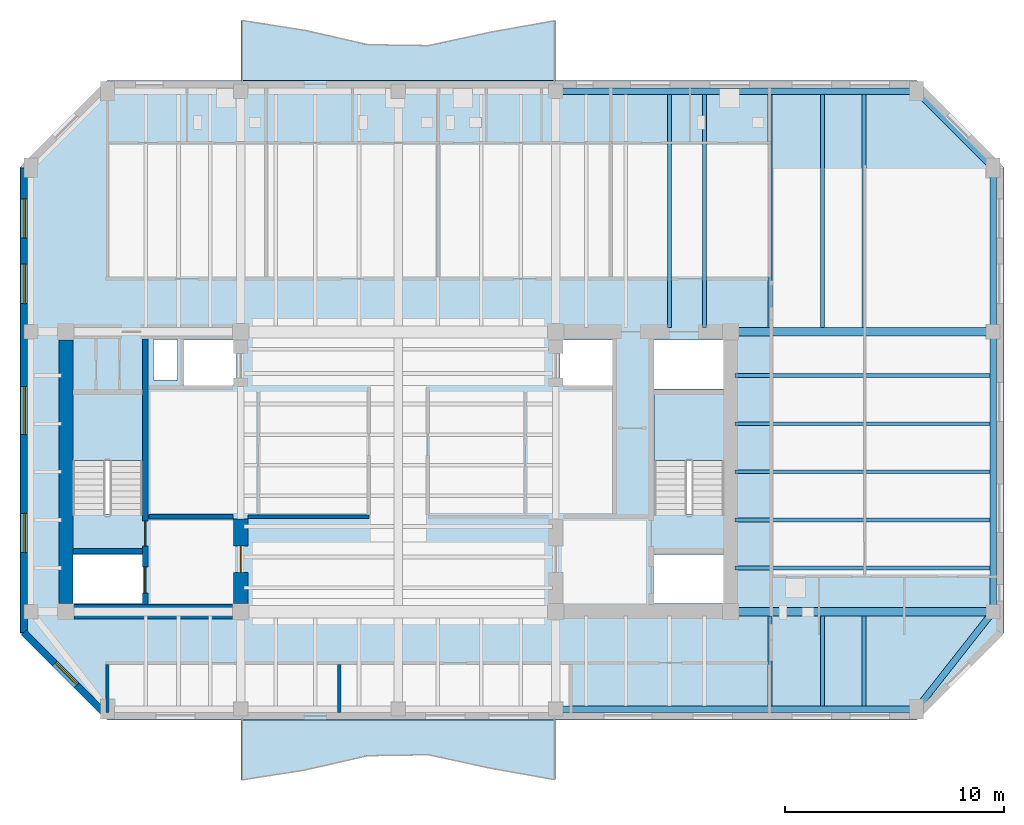
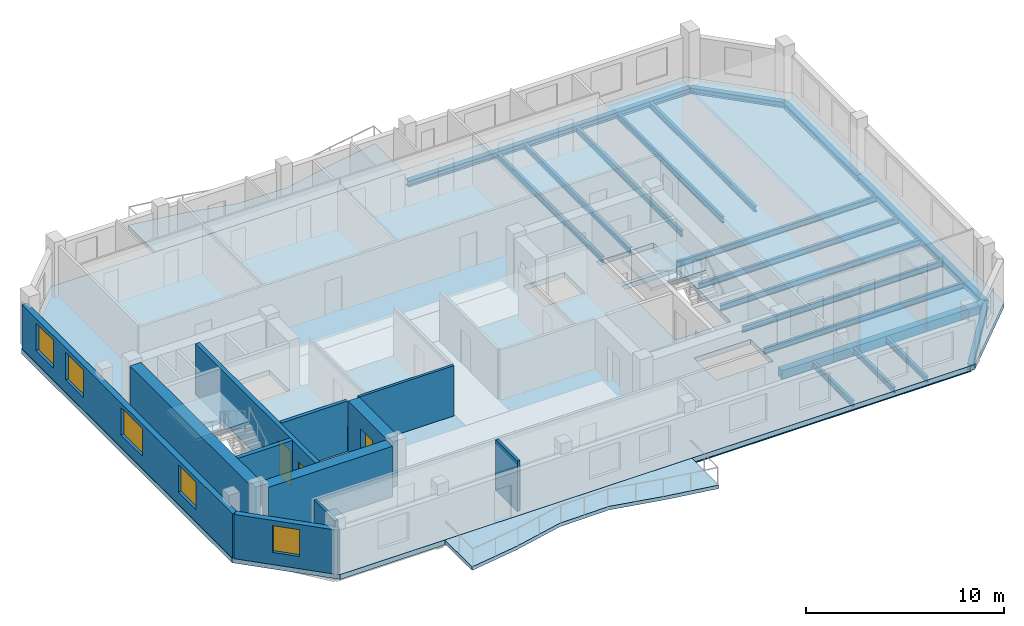
# One storey, part 2 of 9: 21 beams, 11 walls, 5 slabs, 5 windows, 3 doors, 8 openings, 2 elements without a shape of their own.
"""IFC4 building model written with IfcOpenShell, lengths in metres."""

import ifcopenshell
import ifcopenshell.guid

model = None  # the IFC model being written
_history = None  # IfcOwnerHistory: only IFC2X3 demands one
_inside = {}  # id of a spatial element -> (the spatial element, [elements in it])
_under = {}  # id of a project, library or spatial element -> (it, [spatial elements below it])
_declared = {}  # id of a project -> (the project, [libraries it declares])
_typed = {}  # id of a type object -> (the type object, [elements of that type])
_made_of = {}  # id of a material, layer set ... -> (it, [elements and type objects made of it])


def new_model(schema):
    """Start an empty IFC model of exactly this schema.

    Asked for "IFC4X3", IfcOpenShell would pick the latest addendum, in which some entities
    have other attributes; the version numbers below select the first issue.
    IFC2X3 requires an IfcOwnerHistory on every rooted entity: one is made here for all.
    """
    global model, _history
    if schema == "IFC4X3":
        model = ifcopenshell.file(schema_version=(4, 3, 0, 0))
    else:
        model = ifcopenshell.file(schema=schema)
    _inside.clear()
    _under.clear()
    _declared.clear()
    _typed.clear()
    _made_of.clear()
    _history = None
    if model.schema == "IFC2X3":
        org = make("IfcOrganization", Name="unknown")
        user = make(
            "IfcPersonAndOrganization",
            ThePerson=make("IfcPerson", FamilyName="unknown"),
            TheOrganization=org,
        )
        app = make(
            "IfcApplication",
            ApplicationDeveloper=org,
            Version="unknown",
            ApplicationFullName="unknown",
            ApplicationIdentifier="unknown",
        )
        _history = make(
            "IfcOwnerHistory",
            OwningUser=user,
            OwningApplication=app,
            ChangeAction="ADDED",
            CreationDate=0,
        )
    return model


def make(cls, **values):
    """One entity of the class cls with the attributes given. An attribute that is None is left unset."""
    return model.create_entity(
        cls, **{name: value for name, value in values.items() if value is not None}
    )


def rooted(cls, **values):
    """An entity with a GlobalId (a new one), such as an element, a storey or a relation."""
    return make(cls, GlobalId=ifcopenshell.guid.new(), OwnerHistory=_history, **values)


def si_unit(unit_type, name, prefix=None):
    """IfcSIUnit, for example si_unit("LENGTHUNIT", "METRE", prefix="MILLI")."""
    return make("IfcSIUnit", UnitType=unit_type, Prefix=prefix, Name=name)


def assignment(units):
    """IfcUnitAssignment: the units of a project."""
    return None if units is None else make("IfcUnitAssignment", Units=units)


def point(xyz):
    """IfcCartesianPoint."""
    return None if xyz is None else make("IfcCartesianPoint", Coordinates=xyz)


def direction(xyz):
    """IfcDirection."""
    return None if xyz is None else make("IfcDirection", DirectionRatios=xyz)


def frame(location, z_axis=None, x_axis=None):
    """IfcAxis2Placement3D, a coordinate frame: its origin and axes. An axis left out is left unset."""
    return make(
        "IfcAxis2Placement3D",
        Location=point(location),
        Axis=direction(z_axis),
        RefDirection=direction(x_axis),
    )


def frame_2d(location, x_axis=None):
    """IfcAxis2Placement2D, a coordinate frame in the plane: its origin and x axis."""
    return make(
        "IfcAxis2Placement2D", Location=point(location), RefDirection=direction(x_axis)
    )


def origin():
    """The frame at (0, 0, 0) with its axes left unset."""
    return frame((0.0, 0.0, 0.0))


def origin_2d():
    """The frame at (0, 0) in the plane with its x axis left unset."""
    return frame_2d((0.0, 0.0))


def place(relative_to, where):
    """IfcLocalPlacement: puts the frame where relative to a parent placement (None: the world)."""
    return make(
        "IfcLocalPlacement", PlacementRelTo=relative_to, RelativePlacement=where
    )


def context(
    kind, dimensions, precision=None, world=None, true_north=None, identifier=None
):
    """IfcGeometricRepresentationContext, for example the 3D "Model" context."""
    return make(
        "IfcGeometricRepresentationContext",
        ContextIdentifier=identifier,
        ContextType=kind,
        CoordinateSpaceDimension=dimensions,
        Precision=precision,
        WorldCoordinateSystem=world,
        TrueNorth=true_north,
    )


def subcontext(parent, identifier, kind, view, scale=None):
    """IfcGeometricRepresentationSubContext, for example "Body" below "Model"."""
    return make(
        "IfcGeometricRepresentationSubContext",
        ContextIdentifier=identifier,
        ContextType=kind,
        ParentContext=parent,
        TargetScale=scale,
        TargetView=view,
    )


def project(units=None, contexts=None):
    """IfcProject with its units and contexts."""
    return rooted(
        "IfcProject",
        Name="project",
        RepresentationContexts=contexts,
        UnitsInContext=assignment(units),
    )


def spatial(cls, under=None, at=None, **own):
    """A site, building, storey or space (cls), placed at a placement, below another one or the project."""
    s = rooted(cls, ObjectPlacement=at, **own)
    if under is not None:
        _under.setdefault(under.id(), (under, []))[1].append(s)
    return s


def polyline(points):
    """IfcPolyline through the points."""
    return make("IfcPolyline", Points=[point(p) for p in points])


def profile(cls, at=None, kind="AREA", **sizes):
    """A parametric profile (cls). Its sizes go by their IFC names, for example OverallWidth=200.0."""
    return make(cls, ProfileType=kind, Position=at, **sizes)


def rectangle(**sizes):
    """IfcRectangleProfileDef."""
    return profile("IfcRectangleProfileDef", **sizes)


def i_section(**sizes):
    """IfcIShapeProfileDef."""
    return profile("IfcIShapeProfileDef", **sizes)


def outline(outer, holes=None, kind="AREA"):
    """IfcArbitraryClosedProfileDef: a profile drawn as a closed curve; with holes, ...WithVoids."""
    if holes is None:
        return make("IfcArbitraryClosedProfileDef", ProfileType=kind, OuterCurve=outer)
    return make(
        "IfcArbitraryProfileDefWithVoids",
        ProfileType=kind,
        OuterCurve=outer,
        InnerCurves=holes,
    )


def extrude(swept, where, along, depth):
    """IfcExtrudedAreaSolid: the profile swept, set in the frame where, extruded along a direction by depth."""
    return make(
        "IfcExtrudedAreaSolid",
        SweptArea=swept,
        Position=where,
        ExtrudedDirection=direction(along),
        Depth=depth,
    )


def shape(context_of_items, identifier, shape_type, items):
    """IfcShapeRepresentation: the items that make up one representation, for example the "Body"."""
    return make(
        "IfcShapeRepresentation",
        ContextOfItems=context_of_items,
        RepresentationIdentifier=identifier,
        RepresentationType=shape_type,
        Items=items,
    )


def material(Name=None, Category=None):
    """IfcMaterial."""
    return make("IfcMaterial", Name=Name, Category=Category)


def layer(
    of_material, thickness, ventilated=None, Name=None, Category=None, Priority=None
):
    """IfcMaterialLayer: one layer of a wall or slab, of a material (None: an air gap)."""
    return make(
        "IfcMaterialLayer",
        Material=of_material,
        LayerThickness=thickness,
        IsVentilated=ventilated,
        Name=Name,
        Category=Category,
        Priority=Priority,
    )


def layer_set(layers, Name=None):
    """IfcMaterialLayerSet."""
    return make("IfcMaterialLayerSet", MaterialLayers=layers, LayerSetName=Name)


def material_profile(
    of_material, cross_section, Name=None, Category=None, Priority=None
):
    """IfcMaterialProfile: a cross section and its material."""
    return make(
        "IfcMaterialProfile",
        Name=Name,
        Material=of_material,
        Profile=cross_section,
        Priority=Priority,
        Category=Category,
    )


def profile_set(profiles, Name=None, composite=None):
    """IfcMaterialProfileSet."""
    return make(
        "IfcMaterialProfileSet",
        Name=Name,
        MaterialProfiles=profiles,
        CompositeProfile=composite,
    )


def made_of(thing, what):
    """Note that an element or type object is made of a material, layer set ...; save() writes the relation."""
    if what is not None:
        _made_of.setdefault(what.id(), (what, []))[1].append(thing)
    return thing


def type_object(cls, material=None, **own):
    """A type object (cls), such as IfcWallType, which elements share."""
    return made_of(rooted(cls, **own), material)


def element(
    cls,
    number,
    at=None,
    inside=None,
    cuts=None,
    type_object=None,
    material=None,
    context=None,
    identifier="Body",
    shape_type=None,
    held_by="IfcProductDefinitionShape",
    body=None,
    shapes=None,
    **own,
):
    """One element of the class cls, such as IfcWall. Its Tag is "e" and its number.

    at: its placement. inside: the storey or other place that contains it. cuts: it is an
    opening in that element (IfcRelVoidsElement). A single representation is given by context,
    identifier, shape_type and body (its items); several are given by shapes. held_by: the class
    of the entity that holds the representations. save() writes the other relations.
    """
    e = rooted(cls, Tag="e%d" % number, ObjectPlacement=at, **own)
    if body is not None:
        shapes = [shape(context, identifier, shape_type, body)]
    if shapes is not None:
        e.Representation = make(held_by, Representations=shapes)
    if inside is not None:
        _inside.setdefault(inside.id(), (inside, []))[1].append(e)
    if cuts is not None:
        rooted(
            "IfcRelVoidsElement", RelatingBuildingElement=cuts, RelatedOpeningElement=e
        )
    if type_object is not None:
        _typed.setdefault(type_object.id(), (type_object, []))[1].append(e)
    return made_of(e, material)


def fill(opening, filler):
    """IfcRelFillsElement: the door or window that sits in an opening."""
    return rooted(
        "IfcRelFillsElement",
        RelatingOpeningElement=opening,
        RelatedBuildingElement=filler,
    )


def aggregate(whole, parts):
    """IfcRelAggregates: a whole, such as a stair, and the parts it consists of."""
    return rooted("IfcRelAggregates", RelatingObject=whole, RelatedObjects=parts)


def save(model, path):
    """Write the relations noted so far, then the file.

    IfcRelAggregates (storeys below a building ...), IfcRelContainedInSpatialStructure (elements
    in a storey), IfcRelDefinesByType, IfcRelAssociatesMaterial and IfcRelDeclares: one each for
    every whole, place, type object, material and project.
    """
    for whole, parts in _under.values():
        aggregate(whole, parts)
    for where, things in _inside.values():
        rooted(
            "IfcRelContainedInSpatialStructure",
            RelatedElements=things,
            RelatingStructure=where,
        )
    for kind, things in _typed.values():
        rooted("IfcRelDefinesByType", RelatedObjects=things, RelatingType=kind)
    for what, things in _made_of.values():
        rooted("IfcRelAssociatesMaterial", RelatedObjects=things, RelatingMaterial=what)
    for by, libraries in _declared.values():
        rooted("IfcRelDeclares", RelatingContext=by, RelatedDefinitions=libraries)
    model.write(path)


model = new_model("IFC4")

# Units and contexts
model_context = context("Model", 3, precision=1e-05, world=origin(), true_north=direction((0.0, 1.0)))
body_context = subcontext(model_context, "Body", "Model", "MODEL_VIEW")
ifc_project = project(units=[si_unit("LENGTHUNIT", "METRE"), si_unit("AREAUNIT", "SQUARE_METRE"), si_unit("VOLUMEUNIT", "CUBIC_METRE"), si_unit("PLANEANGLEUNIT", "RADIAN"), si_unit("MASSUNIT", "GRAM", prefix="KILO")], contexts=[model_context])

# Site, building, storey
site_placement = place(None, origin())
site = spatial("IfcSite", under=ifc_project, at=site_placement, CompositionType="ELEMENT")
building_placement = place(site_placement, origin())
building = spatial("IfcBuilding", under=site, at=building_placement, Name="Kranthara Brick Stack", CompositionType="ELEMENT")
storey_placement = place(building_placement, frame((0.0, 0.0, 258.5)))
storey = spatial("IfcBuildingStorey", under=building, at=storey_placement, Name="L68", CompositionType="ELEMENT", Elevation=258.5)

# Beams
ifc_material_1 = material(Name="Post-tensioned concrete C45/55", Category="concrete")
ifc_material_profile_1 = material_profile(ifc_material_1, rectangle(XDim=0.39990234375, YDim=0.550048828125, at=origin_2d()), Name="PT 400x550")
ifc_profile_set_1 = profile_set([ifc_material_profile_1], Name="Post-tensioned concrete C45/55")
beam_type_1 = type_object("IfcBeamType", Name="BM-FLR-PT550", PredefinedType="BEAM", material=ifc_profile_set_1)
for number, where, z_axis, x_axis, name in (
    (1, (43.199951171875, 20.800048828125, -0.574951171875), (1.0, 0.0, 0.0), (0.0, 1.0, 0.0), "L68 Primary Grid Girder 029"),
    (2, (43.199951171875, 33.60009765625, -0.574951171875), (1.0, 0.0, 0.0), (0.0, 1.0, 0.0), "L68 Primary Grid Girder 031"),
):
    element("IfcBeam", number, at=place(storey_placement, frame(where, z_axis=z_axis, x_axis=x_axis)), inside=storey, type_object=beam_type_1, Name=name, PredefinedType="BEAM", context=body_context, shape_type="SweptSolid", body=[
        extrude(rectangle(XDim=0.39990234375, YDim=0.550048828125, at=origin_2d()), origin(), (0.0, 0.0, 1.0), 12.0),
    ])
ifc_material_2 = material(Name="Steel S355", Category="steel")
ifc_material_profile_2 = material_profile(ifc_material_2, i_section(OverallWidth=0.169921875, OverallDepth=0.360107421875, WebThickness=0.008056640625, FlangeThickness=0.0126953125, at=origin_2d()), Name="IPE 360")
ifc_profile_set_2 = profile_set([ifc_material_profile_2], Name="Steel S355")
beam_type_2 = type_object("IfcBeamType", Name="BM-JST-IPE360", PredefinedType="JOIST", material=ifc_profile_set_2)
for number, where, z_axis, x_axis, name in (
    (3, (40.39990234375, 33.800048828125, -0.47998046875), (0.0, 1.0, 0.0), (-1.0, 0.0, 0.0), "L68 North Wing Floor Joist 073"),
    (4, (42.0, 33.800048828125, -0.47998046875), (0.0, 1.0, 0.0), (-1.0, 0.0, 0.0), "L68 North Wing Floor Joist 075"),
):
    element("IfcBeam", number, at=place(storey_placement, frame(where, z_axis=z_axis, x_axis=x_axis)), inside=storey, type_object=beam_type_2, Name=name, PredefinedType="JOIST", context=body_context, shape_type="SweptSolid", body=[
        extrude(i_section(OverallWidth=0.169921875, OverallDepth=0.360107421875, WebThickness=0.008056640625, FlangeThickness=0.0126953125, at=origin_2d()), origin(), (0.0, 0.0, 1.0), 10.64990234375),
    ])
beam_1_placement = place(storey_placement, frame((45.0, 16.5, -0.47998046875), z_axis=(0.0, 1.0, 0.0), x_axis=(-1.0, 0.0, 0.0)))
element("IfcBeam", 5, at=beam_1_placement, inside=storey, type_object=beam_type_2, Name="L68 South Wing Floor Joist 076", PredefinedType="JOIST", context=body_context, shape_type="SweptSolid", body=[
    extrude(i_section(OverallWidth=0.169921875, OverallDepth=0.360107421875, WebThickness=0.008056640625, FlangeThickness=0.0126953125, at=origin_2d()), origin(), (0.0, 0.0, 1.0), 4.10009765625),
])
beam_2_placement = place(storey_placement, frame((45.0, 33.800048828125, -0.47998046875), z_axis=(0.0, 1.0, 0.0), x_axis=(-1.0, 0.0, 0.0)))
element("IfcBeam", 6, at=beam_2_placement, inside=storey, type_object=beam_type_2, Name="L68 North Wing Floor Joist 077", PredefinedType="JOIST", context=body_context, shape_type="SweptSolid", body=[
    extrude(i_section(OverallWidth=0.169921875, OverallDepth=0.360107421875, WebThickness=0.008056640625, FlangeThickness=0.0126953125, at=origin_2d()), origin(), (0.0, 0.0, 1.0), 10.64990234375),
])
beam_3_placement = place(storey_placement, frame((47.39990234375, 16.5, -0.47998046875), z_axis=(0.0, 1.0, 0.0), x_axis=(-1.0, 0.0, 0.0)))
element("IfcBeam", 7, at=beam_3_placement, inside=storey, type_object=beam_type_2, Name="L68 South Wing Floor Joist 078", PredefinedType="JOIST", context=body_context, shape_type="SweptSolid", body=[
    extrude(i_section(OverallWidth=0.169921875, OverallDepth=0.360107421875, WebThickness=0.008056640625, FlangeThickness=0.0126953125, at=origin_2d()), origin(), (0.0, 0.0, 1.0), 4.10009765625),
])
beam_4_placement = place(storey_placement, frame((47.39990234375, 33.800048828125, -0.47998046875), z_axis=(0.0, 1.0, 0.0), x_axis=(-1.0, 0.0, 0.0)))
element("IfcBeam", 8, at=beam_4_placement, inside=storey, type_object=beam_type_2, Name="L68 North Wing Floor Joist 079", PredefinedType="JOIST", context=body_context, shape_type="SweptSolid", body=[
    extrude(i_section(OverallWidth=0.169921875, OverallDepth=0.360107421875, WebThickness=0.008056640625, FlangeThickness=0.0126953125, at=origin_2d()), origin(), (0.0, 0.0, 1.0), 10.64990234375),
])
beam_5_placement = place(storey_placement, frame((49.300048828125, 16.5, -0.47998046875), z_axis=(0.0, 1.0, 0.0), x_axis=(-1.0, 0.0, 0.0)))
element("IfcBeam", 9, at=beam_5_placement, inside=storey, type_object=beam_type_2, Name="L68 South Wing Floor Joist 080", PredefinedType="JOIST", context=body_context, shape_type="SweptSolid", body=[
    extrude(i_section(OverallWidth=0.169921875, OverallDepth=0.360107421875, WebThickness=0.008056640625, FlangeThickness=0.0126953125, at=origin_2d()), origin(), (0.0, 0.0, 1.0), 4.10009765625),
])
beam_6_placement = place(storey_placement, frame((49.300048828125, 33.800048828125, -0.47998046875), z_axis=(0.0, 1.0, 0.0), x_axis=(-1.0, 0.0, 0.0)))
element("IfcBeam", 10, at=beam_6_placement, inside=storey, type_object=beam_type_2, Name="L68 North Wing Floor Joist 081", PredefinedType="JOIST", context=body_context, shape_type="SweptSolid", body=[
    extrude(i_section(OverallWidth=0.169921875, OverallDepth=0.360107421875, WebThickness=0.008056640625, FlangeThickness=0.0126953125, at=origin_2d()), origin(), (0.0, 0.0, 1.0), 10.64990234375),
])
for number, where, z_axis, x_axis, name in (
    (11, (43.39990234375, 22.800048828125, -0.47998046875), (1.0, 0.0, 0.0), (0.0, 1.0, 0.0), "L68 East Wing Floor Joist 083"),
    (12, (43.39990234375, 25.0, -0.47998046875), (1.0, 0.0, 0.0), (0.0, 1.0, 0.0), "L68 East Wing Floor Joist 085"),
    (13, (43.39990234375, 27.199951171875, -0.47998046875), (1.0, 0.0, 0.0), (0.0, 1.0, 0.0), "L68 East Wing Floor Joist 087"),
    (14, (43.39990234375, 29.39990234375, -0.47998046875), (1.0, 0.0, 0.0), (0.0, 1.0, 0.0), "L68 East Wing Floor Joist 089"),
    (15, (43.39990234375, 31.60009765625, -0.47998046875), (1.0, 0.0, 0.0), (0.0, 1.0, 0.0), "L68 East Wing Floor Joist 091"),
):
    element("IfcBeam", number, at=place(storey_placement, frame(where, z_axis=z_axis, x_axis=x_axis)), inside=storey, type_object=beam_type_2, Name=name, PredefinedType="JOIST", context=body_context, shape_type="SweptSolid", body=[
        extrude(i_section(OverallWidth=0.169921875, OverallDepth=0.360107421875, WebThickness=0.008056640625, FlangeThickness=0.0126953125, at=origin_2d()), origin(), (0.0, 0.0, 1.0), 11.650146484375),
    ])
ifc_material_3 = material(Name="Steel S355", Category="steel")
ifc_material_profile_3 = material_profile(ifc_material_3, i_section(OverallWidth=0.300048828125, OverallDepth=0.360107421875, WebThickness=0.012451171875, FlangeThickness=0.0224609375, at=origin_2d()), Name="HEB 360")
ifc_profile_set_3 = profile_set([ifc_material_profile_3], Name="Steel S355")
beam_type_3 = type_object("IfcBeamType", Name="BM-STL-HEB360", PredefinedType="SPANDREL", material=ifc_profile_set_3)
for number, where, z_axis, x_axis, name in (
    (16, (35.199951171875, 16.35009765625, -0.47998046875), (1.0, 0.0, 0.0), (0.0, 1.0, 0.0), "L68 Perimeter Spandrel Beam 008"),
    (17, (35.199951171875, 44.60009765625, -0.47998046875), (1.0, 0.0, 0.0), (0.0, 1.0, 0.0), "L68 Perimeter Spandrel Beam 012"),
):
    element("IfcBeam", number, at=place(storey_placement, frame(where, z_axis=z_axis, x_axis=x_axis)), inside=storey, type_object=beam_type_3, Name=name, PredefinedType="SPANDREL", context=body_context, shape_type="SweptSolid", body=[
        extrude(i_section(OverallWidth=0.300048828125, OverallDepth=0.360107421875, WebThickness=0.012451171875, FlangeThickness=0.0224609375, at=origin_2d()), origin(), (0.0, 0.0, 1.0), 16.5),
    ])
beam_7_placement = place(storey_placement, frame((55.199951171875, 20.800048828125, -0.47998046875), z_axis=(0.0, 1.0, 0.0), x_axis=(-1.0, 0.0, 0.0)))
element("IfcBeam", 18, at=beam_7_placement, inside=storey, type_object=beam_type_3, Name="L68 Perimeter Spandrel Beam 015", PredefinedType="SPANDREL", context=body_context, shape_type="SweptSolid", body=[
    extrude(i_section(OverallWidth=0.300048828125, OverallDepth=0.360107421875, WebThickness=0.012451171875, FlangeThickness=0.0224609375, at=origin_2d()), origin(), (0.0, 0.0, 1.0), 12.800048828125),
])
beam_8_placement = place(storey_placement, frame((55.199951171875, 33.60009765625, -0.47998046875), z_axis=(0.0, 1.0, 0.0), x_axis=(-1.0, 0.0, 0.0)))
element("IfcBeam", 19, at=beam_8_placement, inside=storey, type_object=beam_type_3, Name="L68 Perimeter Spandrel Beam 016", PredefinedType="SPANDREL", context=body_context, shape_type="SweptSolid", body=[
    extrude(i_section(OverallWidth=0.300048828125, OverallDepth=0.360107421875, WebThickness=0.012451171875, FlangeThickness=0.0224609375, at=origin_2d()), origin(), (0.0, 0.0, 1.0), 7.5),
])
beam_9_placement = place(storey_placement, frame((51.699951171875, 16.35009765625, -0.47998046875), z_axis=(0.618215705636, 0.78600848679, 0.0), x_axis=(-0.78600848679, 0.618215705636, 0.0)))
element("IfcBeam", 20, at=beam_9_placement, inside=storey, type_object=beam_type_3, Name="L68 Chamfer Corner Spandrel 018", PredefinedType="SPANDREL", context=body_context, shape_type="SweptSolid", body=[
    extrude(i_section(OverallWidth=0.300048828125, OverallDepth=0.360107421875, WebThickness=0.012451171875, FlangeThickness=0.0224609375, at=origin_2d()), origin(), (0.0, 0.0, 1.0), 5.661376953125),
])
beam_10_placement = place(storey_placement, frame((51.699951171875, 44.60009765625, -0.47998046875), z_axis=(0.707106781187, -0.707106781187, 0.0), x_axis=(0.707106781187, 0.707106781187, 0.0)))
element("IfcBeam", 21, at=beam_10_placement, inside=storey, type_object=beam_type_3, Name="L68 Chamfer Corner Spandrel 020", PredefinedType="SPANDREL", context=body_context, shape_type="SweptSolid", body=[
    extrude(i_section(OverallWidth=0.300048828125, OverallDepth=0.360107421875, WebThickness=0.012451171875, FlangeThickness=0.0224609375, at=origin_2d()), origin(), (0.0, 0.0, 1.0), 4.94970703125),
])

# Slabs
ifc_material_4 = material(Name="Concrete C45/55", Category="concrete")
ifc_layer_1 = layer(ifc_material_4, 0.219970703125)
ifc_layer_set_1 = layer_set([ifc_layer_1], Name="Concrete C45/55")
slab_type_1 = type_object("IfcSlabType", Name="SLB-BALC-220", PredefinedType="FLOOR", material=ifc_layer_set_1)
slab_1_placement = place(storey_placement, frame((0.0, 0.0, -0.219970703125)))
element("IfcSlab", 22, at=slab_1_placement, inside=storey, type_object=slab_type_1, Name="L68 South Rippling Balcony Slab", PredefinedType="FLOOR", context=body_context, shape_type="SweptSolid", body=[
    extrude(outline(polyline([(20.800048828125, 15.85009765625), (35.199951171875, 15.85009765625), (35.199951171875, 13.115966796875), (32.320068359375, 13.62890625), (29.43994140625, 14.2626953125), (26.56005859375, 14.22021484375), (23.679931640625, 13.554931640625), (20.800048828125, 13.103515625), (20.800048828125, 15.85009765625)])), origin(), (0.0, 0.0, 1.0), 0.219970703125),
])
slab_2_placement = place(storey_placement, frame((0.0, 0.0, -0.219970703125)))
element("IfcSlab", 23, at=slab_2_placement, inside=storey, type_object=slab_type_1, Name="L68 North Rippling Balcony Slab", PredefinedType="FLOOR", context=body_context, shape_type="SweptSolid", body=[
    extrude(outline(polyline([(35.199951171875, 45.10009765625), (20.800048828125, 45.10009765625), (20.800048828125, 47.8466796875), (23.679931640625, 47.39501953125), (26.56005859375, 46.729736328125), (29.43994140625, 46.687255859375), (32.320068359375, 47.321044921875), (35.199951171875, 47.834228515625), (35.199951171875, 45.10009765625)])), origin(), (0.0, 0.0, 1.0), 0.219970703125),
])

# Stair, slab
ifc_material_5 = material(Name="Concrete C45/55", Category="concrete")
stair_type = type_object("IfcStairType", Name="ST-CORE-20R", PredefinedType="HALF_TURN_STAIR", material=ifc_material_5)
stair_1_placement = place(storey_placement, origin())
stair_1 = element("IfcStair", 24, at=stair_1_placement, inside=storey, type_object=stair_type, Name="L68 West Core Protected Exit Stair ST01", PredefinedType="HALF_TURN_STAIR")
ifc_material_6 = material(Name="Concrete C45/55", Category="concrete")
ifc_layer_2 = layer(ifc_material_6, 0.199951171875)
ifc_layer_set_2 = layer_set([ifc_layer_2], Name="Concrete C45/55")
slab_type_2 = type_object("IfcSlabType", Name="SLB-LANDING-200", PredefinedType="LANDING", material=ifc_layer_set_2)
slab_3_placement = place(storey_placement, frame((0.0, 0.0, 1.5)))
slab_3 = element("IfcSlab", 25, at=slab_3_placement, type_object=slab_type_2, Name="ST01 landing 1", PredefinedType="LANDING", context=body_context, shape_type="SweptSolid", body=[
    extrude(outline(polyline([(16.300048828125, 27.719970703125), (16.300048828125, 30.75), (13.10009765625, 30.75), (13.10009765625, 27.719970703125), (16.300048828125, 27.719970703125)])), origin(), (0.0, 0.0, 1.0), 0.199951171875),
])
aggregate(stair_1, [slab_3])

stair_2_placement = place(storey_placement, origin())
stair_2 = element("IfcStair", 26, at=stair_2_placement, inside=storey, type_object=stair_type, Name="L68 East Core Protected Exit Stair ST02", PredefinedType="HALF_TURN_STAIR")
slab_4_placement = place(storey_placement, frame((0.0, 0.0, 1.5)))
slab_4 = element("IfcSlab", 27, at=slab_4_placement, type_object=slab_type_2, Name="ST02 landing 1", PredefinedType="LANDING", context=body_context, shape_type="SweptSolid", body=[
    extrude(outline(polyline([(42.89990234375, 27.719970703125), (42.89990234375, 30.75), (39.699951171875, 30.75), (39.699951171875, 27.719970703125), (42.89990234375, 27.719970703125)])), origin(), (0.0, 0.0, 1.0), 0.199951171875),
])
aggregate(stair_2, [slab_4])

# Slab
ifc_material_7 = material(Name="Post-tensioned concrete C45/55", Category="concrete")
ifc_layer_3 = layer(ifc_material_7, 0.300048828125)
ifc_layer_set_3 = layer_set([ifc_layer_3], Name="Post-tensioned concrete C45/55")
slab_type_3 = type_object("IfcSlabType", Name="SLB-TWR-300", PredefinedType="FLOOR", material=ifc_layer_set_3)
slab_5_placement = place(storey_placement, frame((0.0, 0.0, -0.300048828125)))
element("IfcSlab", 28, at=slab_5_placement, inside=storey, type_object=slab_type_3, Name="L68 Structural Floor Plate", PredefinedType="FLOOR", context=body_context, shape_type="SweptSolid", body=[
    extrude(outline(polyline([(14.699951171875, 15.85009765625), (51.699951171875, 15.85009765625), (55.699951171875, 19.85009765625), (55.699951171875, 41.10009765625), (51.699951171875, 45.10009765625), (14.699951171875, 45.10009765625), (10.699951171875, 41.10009765625), (10.699951171875, 19.85009765625), (14.699951171875, 15.85009765625)]), holes=[polyline([(13.10009765625, 25.280029296875), (16.300048828125, 25.280029296875), (16.300048828125, 30.75), (13.10009765625, 30.75), (13.10009765625, 25.280029296875)]), polyline([(39.699951171875, 25.280029296875), (42.89990234375, 25.280029296875), (42.89990234375, 30.75), (39.699951171875, 30.75), (39.699951171875, 25.280029296875)]), polyline([(13.0, 21.179931640625), (16.320068359375, 21.179931640625), (16.320068359375, 23.419921875), (13.0, 23.419921875), (13.0, 21.179931640625)]), polyline([(39.679931640625, 21.179931640625), (43.0, 21.179931640625), (43.0, 23.419921875), (39.679931640625, 23.419921875), (39.679931640625, 21.179931640625)]), polyline([(39.679931640625, 30.97998046875), (43.0, 30.97998046875), (43.0, 33.219970703125), (39.679931640625, 33.219970703125), (39.679931640625, 30.97998046875)]), polyline([(18.199951171875, 31.14990234375), (20.60009765625, 31.14990234375), (20.60009765625, 33.219970703125), (18.199951171875, 33.219970703125), (18.199951171875, 31.14990234375)]), polyline([(35.39990234375, 31.14990234375), (37.800048828125, 31.14990234375), (37.800048828125, 33.219970703125), (35.39990234375, 33.219970703125), (35.39990234375, 31.14990234375)]), polyline([(16.800048828125, 31.39990234375), (17.89990234375, 31.39990234375), (17.89990234375, 33.25), (16.800048828125, 33.25), (16.800048828125, 31.39990234375)])]), origin(), (0.0, 0.0, 1.0), 0.300048828125),
])

# Wall, opening, window
ifc_material_8 = material(Name="Warm buff clay brick masonry M15", Category="masonry")
ifc_layer_4 = layer(ifc_material_8, 0.320068359375)
ifc_layer_set_4 = layer_set([ifc_layer_4], Name="Warm buff clay brick masonry M15")
wall_type_1 = type_object("IfcWallType", Name="WL-BRK-UPPR-320", PredefinedType="STANDARD", material=ifc_layer_set_4)
wall_1_placement = place(storey_placement, frame((14.699951171875, 16.030029296875, 0.0), z_axis=(0.0, 0.0, 1.0), x_axis=(-0.707106781187, 0.707106781187, 0.0)))
wall_1 = element("IfcWall", 29, at=wall_1_placement, inside=storey, type_object=wall_type_1, Name="L68 Exterior Brick Facade Wall SW 1", PredefinedType="STANDARD", context=body_context, shape_type="SweptSolid", body=[
    extrude(rectangle(XDim=5.40234375, YDim=0.320068359375, at=frame_2d((2.701171875, 0.0))), origin(), (0.0, 0.0, 1.0), 2.72509765625),
])
opening_1_placement = place(wall_1_placement, frame((2.0009765625, 0.0, 0.75)))
opening_1 = element("IfcOpeningElement", 30, at=opening_1_placement, cuts=wall_1, Name="Opening WN10", PredefinedType="OPENING", context=body_context, shape_type="SweptSolid", body=[
    extrude(rectangle(XDim=1.39990234375, YDim=1.64990234375, at=frame_2d((0.699951171875, 0.824951171875))), frame((0.0, 0.169921875, 0.0), z_axis=(0.0, -1.0, 0.0), x_axis=(1.0, 0.0, 0.0)), (0.0, 0.0, 1.0), 0.340087890625),
])
ifc_material_9 = material(Name="Double-glazed low-E solar control glass", Category="glass")
window_type_1 = type_object("IfcWindowType", Name="WN-CHM-1400x1750", PartitioningType="SINGLE_PANEL", PredefinedType="WINDOW", material=ifc_material_9)
window_1_placement = place(opening_1_placement, origin())
window_1 = element("IfcWindow", 31, at=window_1_placement, inside=storey, type_object=window_type_1, Name="L68 SW Chamfer Corner Window", OverallHeight=1.64990234375, OverallWidth=1.39990234375, PartitioningType="SINGLE_PANEL", PredefinedType="WINDOW", context=body_context, shape_type="SweptSolid", body=[
    extrude(rectangle(XDim=1.39990234375, YDim=1.64990234375, at=frame_2d((0.699951171875, 0.824951171875))), frame((0.0, -0.010009765625, 0.0), z_axis=(0.0, -1.0, 0.0), x_axis=(1.0, 0.0, 0.0)), (0.0, 0.0, 1.0), 0.06005859375),
])
fill(opening_1, window_1)

# Wall, openings, windows
wall_2_placement = place(storey_placement, frame((10.8798828125, 19.85009765625, 0.0), z_axis=(0.0, 0.0, 1.0), x_axis=(0.0, 1.0, 0.0)))
wall_2 = element("IfcWall", 32, at=wall_2_placement, inside=storey, type_object=wall_type_1, Name="L68 Exterior Brick Facade Wall WEST 1", PredefinedType="STANDARD", context=body_context, shape_type="SweptSolid", body=[
    extrude(rectangle(XDim=21.25, YDim=0.320068359375, at=frame_2d((10.625, 0.0))), origin(), (0.0, 0.0, 1.0), 2.72509765625),
])
opening_2_placement = place(wall_2_placement, frame((3.654052734375, 0.0, 0.75)))
opening_2 = element("IfcOpeningElement", 33, at=opening_2_placement, cuts=wall_2, Name="Opening WN07", PredefinedType="OPENING", context=body_context, shape_type="SweptSolid", body=[
    extrude(rectangle(XDim=1.800048828125, YDim=1.699951171875, at=frame_2d((0.89990234375, 0.85009765625))), frame((0.0, 0.169921875, 0.0), z_axis=(0.0, -1.0, 0.0), x_axis=(1.0, 0.0, 0.0)), (0.0, 0.0, 1.0), 0.340087890625),
])
opening_3_placement = place(wall_2_placement, frame((9.0458984375, 0.0, 0.75)))
opening_3 = element("IfcOpeningElement", 34, at=opening_3_placement, cuts=wall_2, Name="Opening WN08", PredefinedType="OPENING", context=body_context, shape_type="SweptSolid", body=[
    extrude(rectangle(XDim=2.199951171875, YDim=1.699951171875, at=frame_2d((1.10009765625, 0.85009765625))), frame((0.0, 0.169921875, 0.0), z_axis=(0.0, -1.0, 0.0), x_axis=(1.0, 0.0, 0.0)), (0.0, 0.0, 1.0), 0.340087890625),
])
opening_4_placement = place(wall_2_placement, frame((15.04296875, 0.0, 0.75)))
opening_4 = element("IfcOpeningElement", 35, at=opening_4_placement, cuts=wall_2, Name="Opening WN07", PredefinedType="OPENING", context=body_context, shape_type="SweptSolid", body=[
    extrude(rectangle(XDim=1.800048828125, YDim=1.699951171875, at=frame_2d((0.89990234375, 0.85009765625))), frame((0.0, 0.169921875, 0.0), z_axis=(0.0, -1.0, 0.0), x_axis=(1.0, 0.0, 0.0)), (0.0, 0.0, 1.0), 0.340087890625),
])
opening_5_placement = place(wall_2_placement, frame((18.031982421875, 0.0, 0.75)))
opening_5 = element("IfcOpeningElement", 36, at=opening_5_placement, cuts=wall_2, Name="Opening WN07", PredefinedType="OPENING", context=body_context, shape_type="SweptSolid", body=[
    extrude(rectangle(XDim=1.800048828125, YDim=1.699951171875, at=frame_2d((0.89990234375, 0.85009765625))), frame((0.0, 0.169921875, 0.0), z_axis=(0.0, -1.0, 0.0), x_axis=(1.0, 0.0, 0.0)), (0.0, 0.0, 1.0), 0.340087890625),
])
ifc_material_10 = material(Name="Double-glazed low-E solar control glass", Category="glass")
window_type_2 = type_object("IfcWindowType", Name="WN-RES-1800x1850", PartitioningType="DOUBLE_PANEL_VERTICAL", PredefinedType="WINDOW", material=ifc_material_10)
window_2_placement = place(opening_2_placement, origin())
window_2 = element("IfcWindow", 37, at=window_2_placement, inside=storey, type_object=window_type_2, Name="L68 West Deep-Set Brick Window 01", OverallHeight=1.699951171875, OverallWidth=1.800048828125, PartitioningType="SINGLE_PANEL", PredefinedType="WINDOW", context=body_context, shape_type="SweptSolid", body=[
    extrude(rectangle(XDim=1.800048828125, YDim=1.699951171875, at=frame_2d((0.89990234375, 0.85009765625))), frame((0.0, -0.010009765625, 0.0), z_axis=(0.0, -1.0, 0.0), x_axis=(1.0, 0.0, 0.0)), (0.0, 0.0, 1.0), 0.06005859375),
])
fill(opening_2, window_2)
window_3_placement = place(opening_4_placement, origin())
window_3 = element("IfcWindow", 38, at=window_3_placement, inside=storey, type_object=window_type_2, Name="L68 West Deep-Set Brick Window 03", OverallHeight=1.699951171875, OverallWidth=1.800048828125, PartitioningType="SINGLE_PANEL", PredefinedType="WINDOW", context=body_context, shape_type="SweptSolid", body=[
    extrude(rectangle(XDim=1.800048828125, YDim=1.699951171875, at=frame_2d((0.89990234375, 0.85009765625))), frame((0.0, -0.010009765625, 0.0), z_axis=(0.0, -1.0, 0.0), x_axis=(1.0, 0.0, 0.0)), (0.0, 0.0, 1.0), 0.06005859375),
])
fill(opening_4, window_3)
window_4_placement = place(opening_5_placement, origin())
window_4 = element("IfcWindow", 39, at=window_4_placement, inside=storey, type_object=window_type_2, Name="L68 West Deep-Set Brick Window 04", OverallHeight=1.699951171875, OverallWidth=1.800048828125, PartitioningType="SINGLE_PANEL", PredefinedType="WINDOW", context=body_context, shape_type="SweptSolid", body=[
    extrude(rectangle(XDim=1.800048828125, YDim=1.699951171875, at=frame_2d((0.89990234375, 0.85009765625))), frame((0.0, -0.010009765625, 0.0), z_axis=(0.0, -1.0, 0.0), x_axis=(1.0, 0.0, 0.0)), (0.0, 0.0, 1.0), 0.06005859375),
])
fill(opening_5, window_4)
ifc_material_11 = material(Name="Double-glazed low-E solar control glass", Category="glass")
window_type_3 = type_object("IfcWindowType", Name="WN-RES-2200x1850", PartitioningType="TRIPLE_PANEL_VERTICAL", PredefinedType="WINDOW", material=ifc_material_11)
window_5_placement = place(opening_3_placement, origin())
window_5 = element("IfcWindow", 40, at=window_5_placement, inside=storey, type_object=window_type_3, Name="L68 West Deep-Set Brick Window 02", OverallHeight=1.699951171875, OverallWidth=2.199951171875, PartitioningType="SINGLE_PANEL", PredefinedType="WINDOW", context=body_context, shape_type="SweptSolid", body=[
    extrude(rectangle(XDim=2.199951171875, YDim=1.699951171875, at=frame_2d((1.10009765625, 0.85009765625))), frame((0.0, -0.010009765625, 0.0), z_axis=(0.0, -1.0, 0.0), x_axis=(1.0, 0.0, 0.0)), (0.0, 0.0, 1.0), 0.06005859375),
])
fill(opening_3, window_5)

# Wall, openings, doors
ifc_material_12 = material(Name="Concrete C50/60", Category="concrete")
ifc_layer_5 = layer(ifc_material_12, 0.25)
ifc_layer_set_5 = layer_set([ifc_layer_5], Name="Concrete C50/60")
wall_type_2 = type_object("IfcWallType", Name="WL-CORE-250", PredefinedType="SHEAR", material=ifc_layer_set_5)
wall_3_placement = place(storey_placement, frame((16.43505859375, 21.135009765625, 0.0), z_axis=(0.0, 0.0, 1.0), x_axis=(0.0, 1.0, 0.0)))
wall_3 = element("IfcWall", 41, at=wall_3_placement, inside=storey, type_object=wall_type_2, Name="L68 West Core Stair Bearing Spine Wall", PredefinedType="SHEAR", context=body_context, shape_type="SweptSolid", body=[
    extrude(rectangle(XDim=12.1298828125, YDim=0.25, at=frame_2d((6.06494140625, 0.0))), origin(), (0.0, 0.0, 1.0), 3.10009765625),
])
opening_6_placement = place(wall_3_placement, frame((0.514892578125, 0.0, 0.0)))
opening_6 = element("IfcOpeningElement", 42, at=opening_6_placement, cuts=wall_3, Name="Opening LD01", PredefinedType="OPENING", context=body_context, shape_type="SweptSolid", body=[
    extrude(rectangle(XDim=1.199951171875, YDim=2.14990234375, at=frame_2d((0.60009765625, 1.074951171875))), frame((0.0, 0.135009765625, 0.0), z_axis=(0.0, -1.0, 0.0), x_axis=(1.0, 0.0, 0.0)), (0.0, 0.0, 1.0), 0.27001953125),
])
opening_7_placement = place(wall_3_placement, frame((2.6650390625, 0.0, 0.0)))
opening_7 = element("IfcOpeningElement", 43, at=opening_7_placement, cuts=wall_3, Name="Opening D05", PredefinedType="OPENING", context=body_context, shape_type="SweptSolid", body=[
    extrude(rectangle(XDim=1.14990234375, YDim=2.14990234375, at=frame_2d((0.574951171875, 1.074951171875))), frame((0.0, 0.135009765625, 0.0), z_axis=(0.0, -1.0, 0.0), x_axis=(1.0, 0.0, 0.0)), (0.0, 0.0, 1.0), 0.27001953125),
])
ifc_material_13 = material(Name="Stainless steel sliding landing door", Category="steel")
door_type_1 = type_object("IfcDoorType", Name="DR-LD-FF1200", OperationType="DOUBLE_DOOR_SLIDING", PredefinedType="DOOR", material=ifc_material_13)
door_1_placement = place(opening_6_placement, origin())
door_1 = element("IfcDoor", 44, at=door_1_placement, inside=storey, type_object=door_type_1, Name="L68 Firefighting Lift FF-01 Landing Door", OperationType="DOUBLE_DOOR_SLIDING", OverallHeight=2.14990234375, OverallWidth=1.199951171875, PredefinedType="DOOR", context=body_context, shape_type="SweptSolid", body=[
    extrude(rectangle(XDim=1.199951171875, YDim=2.14990234375, at=frame_2d((0.60009765625, 1.074951171875))), frame((0.0, 0.02490234375, 0.0), z_axis=(0.0, -1.0, 0.0), x_axis=(1.0, 0.0, 0.0)), (0.0, 0.0, 1.0), 0.050048828125),
])
fill(opening_6, door_1)
ifc_material_14 = material(Name="Solid-core hardwood timber leaf in steel frame", Category="steel")
door_type_2 = type_object("IfcDoorType", Name="DR-ST-1150", OperationType="NOTDEFINED", PredefinedType="DOOR", material=ifc_material_14)
door_2_placement = place(opening_7_placement, origin())
door_2 = element("IfcDoor", 45, at=door_2_placement, inside=storey, type_object=door_type_2, Name="L68 Exit Stair ST01 Door", OperationType="SINGLE_SWING_RIGHT", OverallHeight=2.14990234375, OverallWidth=1.14990234375, PredefinedType="DOOR", context=body_context, shape_type="SweptSolid", body=[
    extrude(rectangle(XDim=1.14990234375, YDim=2.14990234375, at=frame_2d((0.574951171875, 1.074951171875))), frame((0.0, 0.02490234375, 0.0), z_axis=(0.0, -1.0, 0.0), x_axis=(1.0, 0.0, 0.0)), (0.0, 0.0, 1.0), 0.050048828125),
])
fill(opening_7, door_2)

# Walls
wall_4_placement = place(storey_placement, frame((13.135009765625, 23.570068359375, 0.0), z_axis=(0.0, 0.0, 1.0), x_axis=(1.0, 0.0, 0.0)))
element("IfcWall", 46, at=wall_4_placement, inside=storey, type_object=wall_type_2, Name="L68 West Stairwell Bearing Wall WFF", PredefinedType="SHEAR", context=body_context, shape_type="SweptSolid", body=[
    extrude(rectangle(XDim=3.175048828125, YDim=0.25, at=frame_2d((1.58740234375, 0.0))), origin(), (0.0, 0.0, 1.0), 3.10009765625),
])
ifc_material_15 = material(Name="Concrete C60/75", Category="concrete")
ifc_layer_6 = layer(ifc_material_15, 0.64990234375)
ifc_layer_set_6 = layer_set([ifc_layer_6], Name="Concrete C60/75")
wall_type_3 = type_object("IfcWallType", Name="WL-CORE-650", PredefinedType="SHEAR", material=ifc_layer_set_6)
wall_5_placement = place(storey_placement, frame((12.800048828125, 21.179931640625, 0.0), z_axis=(0.0, 0.0, 1.0), x_axis=(0.0, 1.0, 0.0)))
element("IfcWall", 47, at=wall_5_placement, inside=storey, type_object=wall_type_3, Name="L68 West Core Shear Wall West", PredefinedType="SHEAR", context=body_context, shape_type="SweptSolid", body=[
    extrude(rectangle(XDim=12.0400390625, YDim=0.64990234375, at=frame_2d((6.02001953125, 0.0))), origin(), (0.0, 0.0, 1.0), 3.10009765625),
])
wall_6_placement = place(storey_placement, frame((13.179931640625, 20.800048828125, 0.0), z_axis=(0.0, 0.0, 1.0), x_axis=(1.0, 0.0, 0.0)))
element("IfcWall", 48, at=wall_6_placement, inside=storey, type_object=wall_type_3, Name="L68 West Core Shear Wall South", PredefinedType="SHEAR", context=body_context, shape_type="SweptSolid", body=[
    extrude(rectangle(XDim=7.239990234375, YDim=0.64990234375, at=frame_2d((3.6201171875, 0.0))), origin(), (0.0, 0.0, 1.0), 3.10009765625),
])

# Wall, opening, door
wall_7_placement = place(storey_placement, frame((20.800048828125, 21.179931640625, 0.0), z_axis=(0.0, 0.0, 1.0), x_axis=(0.0, 1.0, 0.0)))
wall_7 = element("IfcWall", 49, at=wall_7_placement, inside=storey, type_object=wall_type_3, Name="L68 West Core Lobby Shear Wall", PredefinedType="SHEAR", context=body_context, shape_type="SweptSolid", body=[
    extrude(rectangle(XDim=3.8701171875, YDim=0.64990234375, at=frame_2d((1.93505859375, 0.0))), origin(), (0.0, 0.0, 1.0), 3.10009765625),
])
opening_8_placement = place(wall_7_placement, frame((1.419921875, 0.0, 0.0)))
opening_8 = element("IfcOpeningElement", 50, at=opening_8_placement, cuts=wall_7, Name="Opening D06", PredefinedType="OPENING", context=body_context, shape_type="SweptSolid", body=[
    extrude(rectangle(XDim=1.199951171875, YDim=2.14990234375, at=frame_2d((0.60009765625, 1.074951171875))), frame((0.0, 0.3349609375, 0.0), z_axis=(0.0, -1.0, 0.0), x_axis=(1.0, 0.0, 0.0)), (0.0, 0.0, 1.0), 0.669921875),
])
ifc_material_16 = material(Name="Solid-core hardwood timber leaf in steel frame", Category="steel")
door_type_3 = type_object("IfcDoorType", Name="DR-FFL-1200", OperationType="NOTDEFINED", PredefinedType="DOOR", material=ifc_material_16)
door_3_placement = place(opening_8_placement, origin())
door_3 = element("IfcDoor", 51, at=door_3_placement, inside=storey, type_object=door_type_3, Name="L68 West Firefighting Lobby Door", OperationType="SINGLE_SWING_LEFT", OverallHeight=2.14990234375, OverallWidth=1.199951171875, PredefinedType="DOOR", context=body_context, shape_type="SweptSolid", body=[
    extrude(rectangle(XDim=1.199951171875, YDim=2.14990234375, at=frame_2d((0.60009765625, 1.074951171875))), frame((0.0, 0.02490234375, 0.0), z_axis=(0.0, -1.0, 0.0), x_axis=(1.0, 0.0, 0.0)), (0.0, 0.0, 1.0), 0.050048828125),
])
fill(opening_8, door_3)

# Walls
ifc_material_17 = material(Name="Fire-rated gypsum board partition", Category="other")
ifc_layer_7 = layer(ifc_material_17, 0.14990234375)
ifc_layer_set_7 = layer_set([ifc_layer_7], Name="Fire-rated gypsum board partition")
wall_type_4 = type_object("IfcWallType", Name="WL-PART-150", PredefinedType="PARTITIONING", material=ifc_layer_set_7)
wall_8_placement = place(storey_placement, frame((21.1298828125, 25.14990234375, 0.0), z_axis=(0.0, 0.0, 1.0), x_axis=(1.0, 0.0, 0.0)))
element("IfcWall", 52, at=wall_8_placement, inside=storey, type_object=wall_type_4, Name="L68 Interior Partition 004", PredefinedType="PARTITIONING", context=body_context, shape_type="SweptSolid", body=[
    extrude(rectangle(XDim=5.52001953125, YDim=0.14990234375, at=frame_2d((2.760009765625, 0.0))), origin(), (0.0, 0.0, 1.0), 3.10009765625),
])
for number, where, z_axis, x_axis, name in (
    (53, (14.699951171875, 16.195068359375, 0.0), (0.0, 0.0, 1.0), (0.0, 1.0, 0.0), "L68 Interior Partition 011"),
    (54, (25.298095703125, 16.195068359375, 0.0), (0.0, 0.0, 1.0), (0.0, 1.0, 0.0), "L68 Interior Partition 012"),
):
    element("IfcWall", number, at=place(storey_placement, frame(where, z_axis=z_axis, x_axis=x_axis)), inside=storey, type_object=wall_type_4, Name=name, PredefinedType="PARTITIONING", context=body_context, shape_type="SweptSolid", body=[
        extrude(rectangle(XDim=2.184814453125, YDim=0.14990234375, at=frame_2d((1.09228515625, 0.0))), origin(), (0.0, 0.0, 1.0), 3.10009765625),
    ])
ifc_material_18 = material(Name="Concrete C40/50", Category="concrete")
ifc_layer_8 = layer(ifc_material_18, 0.199951171875)
ifc_layer_set_8 = layer_set([ifc_layer_8], Name="Concrete C40/50")
wall_type_5 = type_object("IfcWallType", Name="WL-PART-200", PredefinedType="SOLIDWALL", material=ifc_layer_set_8)
wall_9_placement = place(storey_placement, frame((16.60009765625, 25.14990234375, 0.0), z_axis=(0.0, 0.0, 1.0), x_axis=(1.0, 0.0, 0.0)))
element("IfcWall", 55, at=wall_9_placement, inside=storey, type_object=wall_type_5, Name="L68 West Core Cross Wall WFL", PredefinedType="SOLIDWALL", context=body_context, shape_type="SweptSolid", body=[
    extrude(rectangle(XDim=3.849853515625, YDim=0.199951171875, at=frame_2d((1.9248046875, 0.0))), origin(), (0.0, 0.0, 1.0), 3.10009765625),
])

save(model, "model.ifc")
